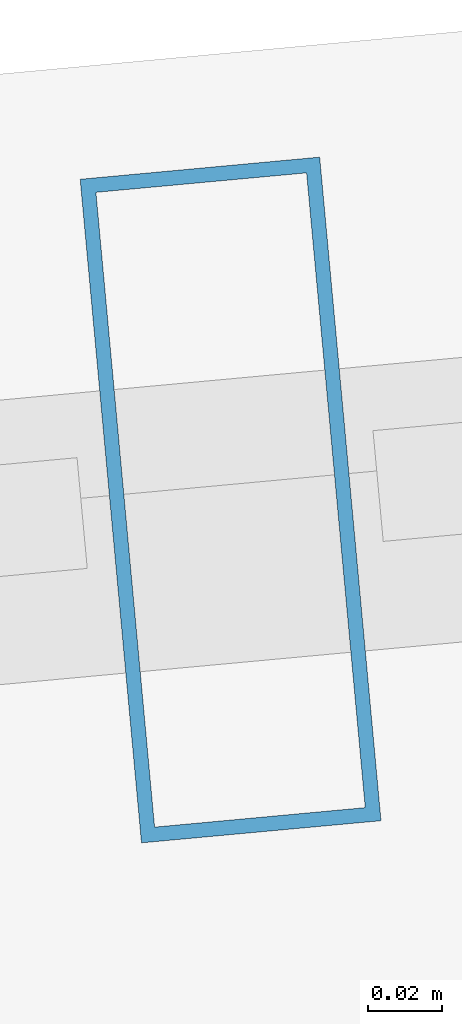
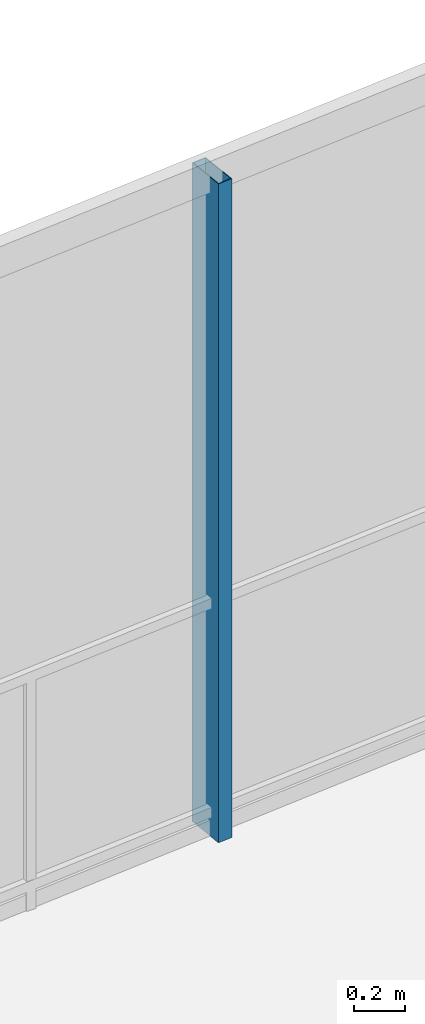
# One storey, part 18 of 30: 1 member, 1 element without a shape of its own.
"""IFC4 building model written with IfcOpenShell, lengths in metres."""

from ifc_helpers import new_model, si_unit, direction, frame, origin, origin_2d, place, context, subcontext, project, spatial, hollow_rectangle, extrude, material, layer, layer_set, material_profile, profile_set, type_object, element, aggregate, save


model = new_model("IFC4")

# Units and contexts
model_context = context("Model", 3, precision=1e-05, world=origin(), true_north=direction((0.0, 1.0)))
body_context = subcontext(model_context, "Body", "Model", "MODEL_VIEW")
ifc_project = project(units=[si_unit("LENGTHUNIT", "METRE"), si_unit("AREAUNIT", "SQUARE_METRE"), si_unit("VOLUMEUNIT", "CUBIC_METRE"), si_unit("PLANEANGLEUNIT", "RADIAN"), si_unit("MASSUNIT", "GRAM", prefix="KILO")], contexts=[model_context])

# Site, building, storey
site_placement = place(None, origin())
site = spatial("IfcSite", under=ifc_project, at=site_placement, CompositionType="ELEMENT")
building_placement = place(site_placement, origin())
building = spatial("IfcBuilding", under=site, at=building_placement, Name="Qarnah Convention Tower", CompositionType="ELEMENT")
storey_placement = place(building_placement, frame((0.0, 0.0, 86.699951171875)))
storey = spatial("IfcBuildingStorey", under=building, at=storey_placement, Name="L22", CompositionType="ELEMENT", Elevation=86.699951171875)

# Curtain wall, member
ifc_material_1 = material(Name="Tempered Low-E dark glass", Category="glass")
ifc_layer = layer(ifc_material_1, 0.169921875)
ifc_layer_set = layer_set([ifc_layer], Name="Tempered Low-E dark glass")
curtain_wall_type = type_object("IfcCurtainWallType", Name="CWS-02", PredefinedType="NOTDEFINED", material=ifc_layer_set)
curtain_wall_placement = place(storey_placement, origin())
curtain_wall = element("IfcCurtainWall", 1, at=curtain_wall_placement, inside=storey, type_object=curtain_wall_type, Name="L22 unitised curtain wall CW-L22-F1", PredefinedType="NOTDEFINED")
ifc_material_2 = material(Name="Black anodised aluminium", Category="aluminium")
ifc_material_profile = material_profile(ifc_material_2, hollow_rectangle(XDim=0.06494140625, YDim=0.179931640625, WallThickness=0.00390625, at=origin_2d()), Name="MUL-65X180")
ifc_profile_set = profile_set([ifc_material_profile], Name="Black anodised aluminium")
member_type = type_object("IfcMemberType", Name="MUL-T2", PredefinedType="MULLION", material=ifc_profile_set)
member_placement = place(storey_placement, frame((33.09130859375, 43.743896484375, 0.0), z_axis=(0.0, 0.0, 1.0), x_axis=(0.995756103548, 0.092031419885, 0.0)))
member = element("IfcMember", 2, at=member_placement, type_object=member_type, Name="CW-L22-F1 mullion 3", PredefinedType="MULLION", context=body_context, shape_type="SweptSolid", body=[
    extrude(hollow_rectangle(XDim=0.06494140625, YDim=0.179931640625, WallThickness=0.00390625, at=origin_2d()), origin(), (0.0, 0.0, 1.0), 3.170166015625),
])
aggregate(curtain_wall, [member])

save(model, "model.ifc")
